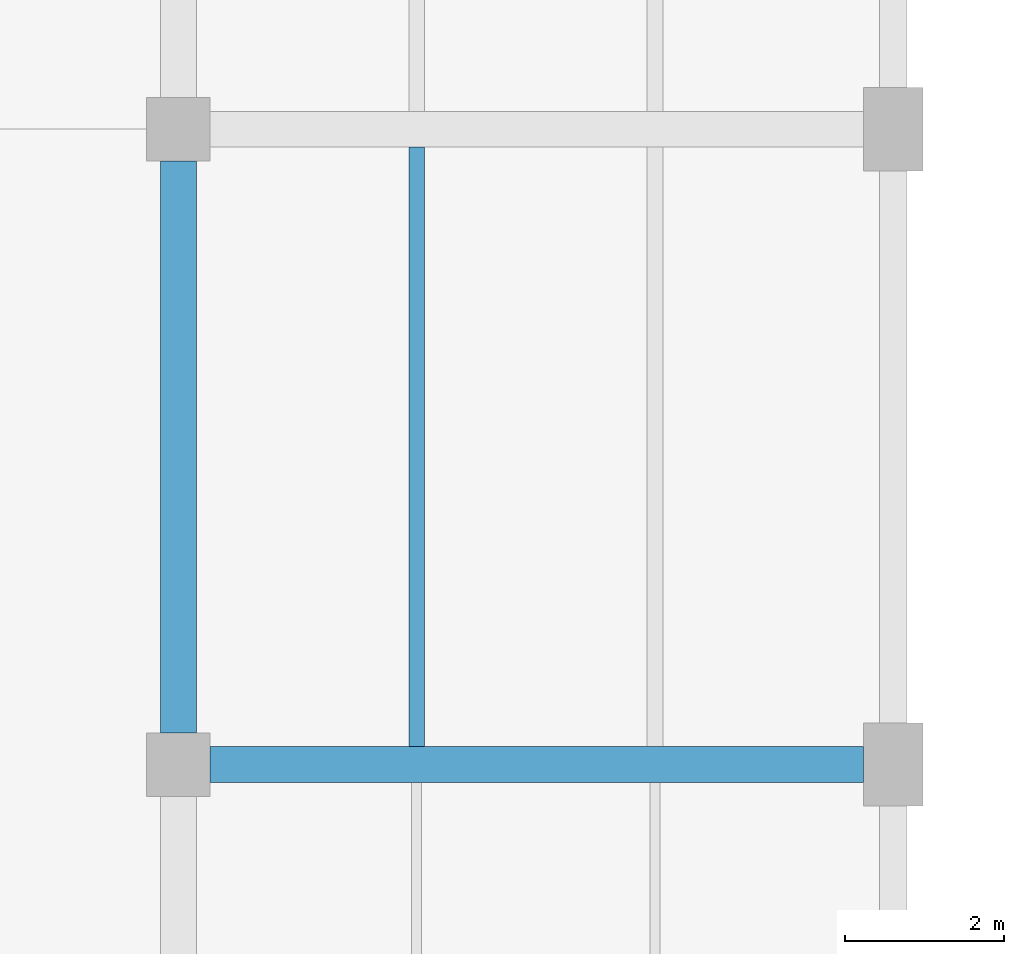
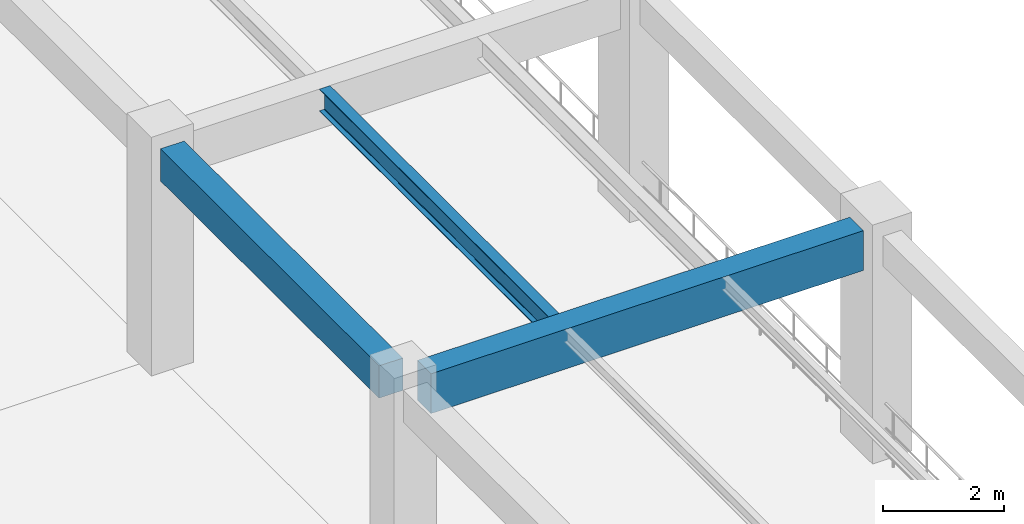
# One storey, part 41 of 178: 3 beams.
"""IFC4 building model written with IfcOpenShell, lengths in metres."""

from ifc_helpers import new_model, si_unit, derived_unit, direction, frame, origin, origin_2d, place, context, subcontext, project, spatial, rectangle, i_section, extrude, material, material_profile, profile_set, type_object, element, save


model = new_model("IFC4")

# Units and contexts
model_context = context("Model", 3, precision=1e-05, world=origin(), true_north=direction((0.0, 1.0)))
body_context = subcontext(model_context, "Body", "Model", "MODEL_VIEW")
ifc_project = project(units=[si_unit("LENGTHUNIT", "METRE"), si_unit("AREAUNIT", "SQUARE_METRE"), si_unit("VOLUMEUNIT", "CUBIC_METRE"), si_unit("PLANEANGLEUNIT", "RADIAN"), si_unit("MASSUNIT", "GRAM", prefix="KILO"), derived_unit("THERMALTRANSMITTANCEUNIT", [(si_unit("MASSUNIT", "GRAM", prefix="KILO"), 1), (si_unit("TIMEUNIT", "SECOND"), -3), (si_unit("THERMODYNAMICTEMPERATUREUNIT", "KELVIN"), -1)])], contexts=[model_context])

# Site, building, storey
site_placement = place(None, origin())
site = spatial("IfcSite", under=ifc_project, at=site_placement, CompositionType="ELEMENT")
building_placement = place(site_placement, origin())
building = spatial("IfcBuilding", under=site, at=building_placement, Name="Zhenchuan Archway Interchange", CompositionType="ELEMENT")
storey_placement = place(building_placement, frame((0.0, 0.0, 5.39990234375)))
storey = spatial("IfcBuildingStorey", under=building, at=storey_placement, Name="L01", CompositionType="ELEMENT", Elevation=5.39990234375)

# Beams
ifc_material_1 = material(Name="Concrete C40", Category="concrete")
ifc_material_profile_1 = material_profile(ifc_material_1, rectangle(XDim=0.449951171875, YDim=0.64990234375, at=origin_2d()), Name="RC 450x650")
ifc_profile_set_1 = profile_set([ifc_material_profile_1], Name="Concrete C40")
beam_type_1 = type_object("IfcBeamType", Name="BM_RC_450x650", PredefinedType="BEAM", material=ifc_profile_set_1)
beam_1_placement = place(storey_placement, frame((27.0, 48.39990234375, 4.18505859375), z_axis=(0.0, 1.0, 0.0), x_axis=(-1.0, 0.0, 0.0)))
element("IfcBeam", 1, at=beam_1_placement, inside=storey, type_object=beam_type_1, Name="Beam 4:G-H (L01)", PredefinedType="BEAM", context=body_context, shape_type="SweptSolid", body=[
    extrude(rectangle(XDim=0.449951171875, YDim=0.64990234375, at=origin_2d()), origin(), (0.0, 0.0, 1.0), 7.2001953125),
])
ifc_material_profile_2 = material_profile(ifc_material_1, rectangle(XDim=0.449951171875, YDim=0.800048828125, at=origin_2d()), Name="RC 450x800")
ifc_profile_set_2 = profile_set([ifc_material_profile_2], Name="Concrete C40")
beam_type_2 = type_object("IfcBeamType", Name="BM_RC_450x800", PredefinedType="BEAM", material=ifc_profile_set_2)
beam_2_placement = place(storey_placement, frame((27.39990234375, 48.0, 4.110107421875), z_axis=(1.0, 0.0, 0.0), x_axis=(0.0, 1.0, 0.0)))
element("IfcBeam", 2, at=beam_2_placement, inside=storey, type_object=beam_type_2, Name="Beam G:4-5 (L01)", PredefinedType="BEAM", context=body_context, shape_type="SweptSolid", body=[
    extrude(rectangle(XDim=0.449951171875, YDim=0.800048828125, at=origin_2d()), origin(), (0.0, 0.0, 1.0), 8.22509765625),
])
ifc_material_2 = material(Name="Steel Q355", Category="steel")
ifc_material_profile_3 = material_profile(ifc_material_2, i_section(OverallWidth=0.199951171875, OverallDepth=0.449951171875, WebThickness=0.009033203125, FlangeThickness=0.013916015625, FilletRadius=0.01806640625, at=origin_2d()), Name="HN 450x200")
ifc_profile_set_3 = profile_set([ifc_material_profile_3], Name="Steel Q355")
beam_type_3 = type_object("IfcBeamType", Name="JST_STL_HN450", PredefinedType="JOIST", material=ifc_profile_set_3)
beam_3_placement = place(storey_placement, frame((30.0, 48.22509765625, 4.28515625), z_axis=(0.0, 1.0, 0.0), x_axis=(-1.0, 0.0, 0.0)))
element("IfcBeam", 3, at=beam_3_placement, inside=storey, type_object=beam_type_3, Name="Secondary joist 4-5/G-H #1 (L01)", PredefinedType="JOIST", context=body_context, shape_type="SweptSolid", body=[
    extrude(i_section(OverallWidth=0.199951171875, OverallDepth=0.449951171875, WebThickness=0.009033203125, FlangeThickness=0.013916015625, FilletRadius=0.01806640625, at=origin_2d()), origin(), (0.0, 0.0, 1.0), 7.5498046875),
])

save(model, "model.ifc")
